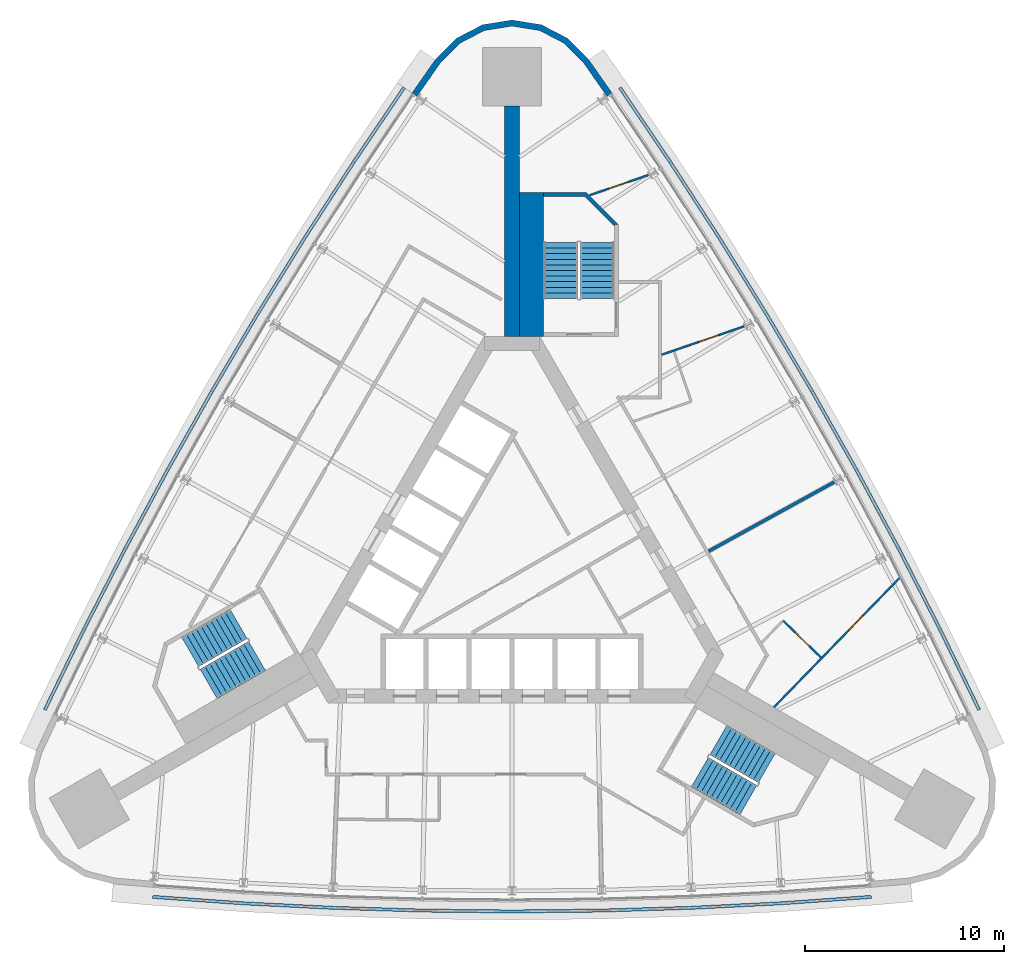
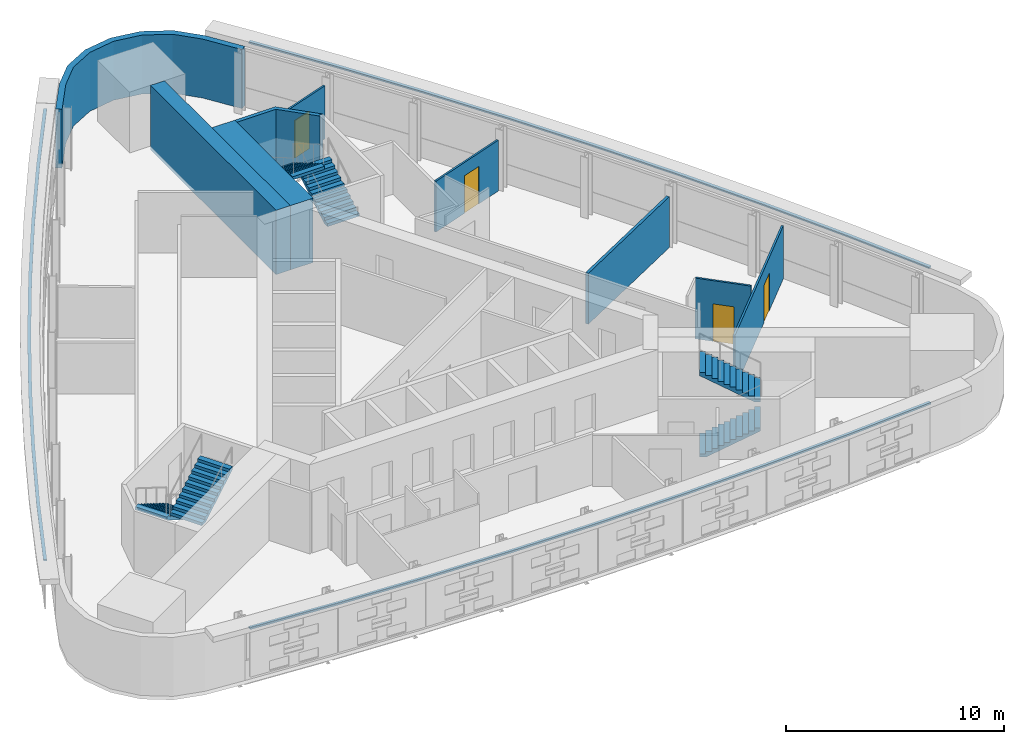
# One storey, part 9 of 11: 9 walls, 6 stair flights, 4 doors, 3 discrete accessories, 4 openings, 3 elements without a shape of their own.
"""IFC4 building model written with IfcOpenShell, lengths in metres."""

from ifc_helpers import new_model, si_unit, direction, frame, frame_2d, origin, place, context, subcontext, project, spatial, polyline, rectangle, outline, extrude, material, layer, layer_set, type_object, element, fill, aggregate, save


model = new_model("IFC4")

# Units and contexts
model_context = context("Model", 3, precision=1e-05, world=origin(), true_north=direction((0.0, 1.0)))
body_context = subcontext(model_context, "Body", "Model", "MODEL_VIEW")
ifc_project = project(units=[si_unit("LENGTHUNIT", "METRE"), si_unit("AREAUNIT", "SQUARE_METRE"), si_unit("VOLUMEUNIT", "CUBIC_METRE"), si_unit("PLANEANGLEUNIT", "RADIAN"), si_unit("MASSUNIT", "GRAM", prefix="KILO")], contexts=[model_context])

# Site, building, storey
site_placement = place(None, origin())
site = spatial("IfcSite", under=ifc_project, at=site_placement, CompositionType="ELEMENT")
building_placement = place(site_placement, origin())
building = spatial("IfcBuilding", under=site, at=building_placement, Name="Noor Cloister Tower", CompositionType="ELEMENT")
storey_placement = place(building_placement, frame((0.0, 0.0, 120.300048828125)))
storey = spatial("IfcBuildingStorey", under=building, at=storey_placement, Name="L31", CompositionType="ELEMENT", Elevation=120.300048828125)

# Walls
ifc_material_1 = material(Name="Concrete C80/95", Category="concrete")
ifc_layer_1 = layer(ifc_material_1, 0.75)
ifc_layer_set_1 = layer_set([ifc_layer_1], Name="Buttress wall 750 C80/95")
wall_type_1 = type_object("IfcWallType", Name="Buttress wall 750 C80/95", PredefinedType="SHEAR", material=ifc_layer_set_1)
wall_1_placement = place(storey_placement, frame((0.0, 11.456298828125, -0.199951171875), z_axis=(0.0, 0.0, 1.0), x_axis=(0.0, 1.0, 0.0)))
element("IfcWall", 1, at=wall_1_placement, inside=storey, type_object=wall_type_1, Name="Buttress wall N L31", PredefinedType="SHEAR", context=body_context, shape_type="SweptSolid", body=[
    extrude(rectangle(XDim=11.538818359375, YDim=0.75, at=frame_2d((5.76953125, 0.0))), origin(), (0.0, 0.0, 1.0), 3.599853515625),
])
ifc_material_2 = material(Name="Gypsum board partition on steel studs, 150 mm", Category="steel")
ifc_layer_2 = layer(ifc_material_2, 0.14990234375)
ifc_layer_set_2 = layer_set([ifc_layer_2], Name="Flat wall 150")
wall_type_2 = type_object("IfcWallType", Name="Flat wall 150", PredefinedType="PARTITIONING", material=ifc_layer_set_2)
wall_2_placement = place(storey_placement, frame((16.14453125, 4.14404296875, 0.0), z_axis=(0.0, 0.0, 1.0), x_axis=(-0.875990246448, -0.482328817434, 0.0)))
element("IfcWall", 2, at=wall_2_placement, inside=storey, type_object=wall_type_2, Name="Flat wall 150 L31 016", PredefinedType="PARTITIONING", context=body_context, shape_type="SweptSolid", body=[
    extrude(rectangle(XDim=7.175537109375, YDim=0.14990234375, at=frame_2d((3.587890625, 0.0))), origin(), (0.0, 0.0, 1.0), 2.846923828125),
])
ifc_material_3 = material(Name="Limestone", Category="masonry")
ifc_layer_3 = layer(ifc_material_3, 0.300048828125)
ifc_layer_set_3 = layer_set([ifc_layer_3], Name="Limestone cladding 300")
wall_type_3 = type_object("IfcWallType", Name="Limestone cladding 300", PredefinedType="NOTDEFINED", material=ifc_layer_set_3)
wall_3_placement = place(storey_placement, origin())
element("IfcWall", 3, at=wall_3_placement, inside=storey, type_object=wall_type_3, Name="Limestone pier cladding L31 3.1", PredefinedType="NOTDEFINED", context=body_context, shape_type="SweptSolid", body=[
    extrude(outline(polyline([(5.0126953125, 23.65576171875), (3.853271484375, 25.31689453125), (2.807373046875, 26.38818359375), (1.478271484375, 27.07763671875), (0.0, 27.3154296875), (-1.478271484375, 27.07763671875), (-2.807373046875, 26.38818359375), (-3.853271484375, 25.31689453125), (-5.0126953125, 23.65576171875), (-4.7666015625, 23.484130859375), (-3.621337890625, 25.125), (-2.62646484375, 26.14404296875), (-1.3828125, 26.7890625), (0.0, 27.011474609375), (1.3828125, 26.7890625), (2.62646484375, 26.14404296875), (3.621337890625, 25.125), (4.7666015625, 23.484130859375), (5.0126953125, 23.65576171875)])), origin(), (0.0, 0.0, 1.0), 3.300048828125),
])

# Wall, opening, door
ifc_material_4 = material(Name="Gypsum board partition on steel studs, 100 mm", Category="steel")
ifc_layer_4 = layer(ifc_material_4, 0.10009765625)
ifc_layer_set_4 = layer_set([ifc_layer_4], Name="Partition 100")
wall_type_4 = type_object("IfcWallType", Name="Partition 100", PredefinedType="PARTITIONING", material=ifc_layer_set_4)
wall_4_placement = place(storey_placement, frame((19.424560546875, -0.662353515625, 0.0), z_axis=(0.0, 0.0, 1.0), x_axis=(-0.696698602336, -0.717363964458, 0.0)))
wall_4 = element("IfcWall", 4, at=wall_4_placement, inside=storey, type_object=wall_type_4, Name="Partition 100 L31 021", PredefinedType="PARTITIONING", context=body_context, shape_type="SweptSolid", body=[
    extrude(rectangle(XDim=9.02587890625, YDim=0.10009765625, at=frame_2d((4.512939453125, 0.0))), origin(), (0.0, 0.0, 1.0), 2.973876953125),
])
opening_1_placement = place(wall_4_placement, frame((2.642578125, 0.0, 0.0)))
opening_1 = element("IfcOpeningElement", 5, at=opening_1_placement, cuts=wall_4, Name="Opening L31-012", PredefinedType="OPENING", context=body_context, shape_type="SweptSolid", body=[
    extrude(rectangle(XDim=1.0, YDim=2.10009765625, at=frame_2d((0.5, 1.050048828125))), frame((0.0, 0.06005859375, 0.0), z_axis=(0.0, -1.0, 0.0), x_axis=(1.0, 0.0, 0.0)), (0.0, 0.0, 1.0), 0.1201171875),
])
ifc_material_5 = material(Name="Timber door leaf with steel frame", Category="steel")
door_type = type_object("IfcDoorType", Name="Interior door 1000", OperationType="NOTDEFINED", PredefinedType="DOOR", material=ifc_material_5)
door_1_placement = place(opening_1_placement, origin())
door_1 = element("IfcDoor", 6, at=door_1_placement, inside=storey, type_object=door_type, Name="Interior door 1000 L31-012", OperationType="SINGLE_SWING_LEFT", OverallHeight=2.10009765625, OverallWidth=1.0, PredefinedType="DOOR", context=body_context, shape_type="SweptSolid", body=[
    extrude(rectangle(XDim=1.0, YDim=2.10009765625, at=frame_2d((0.5, 1.050048828125))), frame((0.0, 0.02490234375, 0.0), z_axis=(0.0, -1.0, 0.0), x_axis=(1.0, 0.0, 0.0)), (0.0, 0.0, 1.0), 0.050048828125),
])
fill(opening_1, door_1)

wall_5_placement = place(storey_placement, frame((7.501953125, 10.53369140625, 0.0), z_axis=(0.0, 0.0, 1.0), x_axis=(0.945553375074, 0.325467071893, 0.0)))
wall_5 = element("IfcWall", 7, at=wall_5_placement, inside=storey, type_object=wall_type_4, Name="Partition 100 L31 023", PredefinedType="PARTITIONING", context=body_context, shape_type="SweptSolid", body=[
    extrude(rectangle(XDim=4.36865234375, YDim=0.10009765625, at=frame_2d((2.184326171875, 0.0))), origin(), (0.0, 0.0, 1.0), 2.846923828125),
])
opening_2_placement = place(wall_5_placement, frame((1.998291015625, 0.0, 0.0)))
opening_2 = element("IfcOpeningElement", 8, at=opening_2_placement, cuts=wall_5, Name="Opening L31-013", PredefinedType="OPENING", context=body_context, shape_type="SweptSolid", body=[
    extrude(rectangle(XDim=1.0, YDim=2.10009765625, at=frame_2d((0.5, 1.050048828125))), frame((0.0, 0.06005859375, 0.0), z_axis=(0.0, -1.0, 0.0), x_axis=(1.0, 0.0, 0.0)), (0.0, 0.0, 1.0), 0.1201171875),
])
door_2_placement = place(opening_2_placement, origin())
door_2 = element("IfcDoor", 9, at=door_2_placement, inside=storey, type_object=door_type, Name="Interior door 1000 L31-013", OperationType="SINGLE_SWING_RIGHT", OverallHeight=2.10009765625, OverallWidth=1.0, PredefinedType="DOOR", context=body_context, shape_type="SweptSolid", body=[
    extrude(rectangle(XDim=1.0, YDim=2.10009765625, at=frame_2d((0.5, 1.050048828125))), frame((0.0, 0.02490234375, 0.0), z_axis=(0.0, -1.0, 0.0), x_axis=(1.0, 0.0, 0.0)), (0.0, 0.0, 1.0), 0.050048828125),
])
fill(opening_2, door_2)

wall_6_placement = place(storey_placement, frame((3.893310546875, 18.529541015625, 0.0), z_axis=(0.0, 0.0, 1.0), x_axis=(0.945532429383, 0.325527917366, 0.0)))
wall_6 = element("IfcWall", 10, at=wall_6_placement, inside=storey, type_object=wall_type_4, Name="Partition 100 L31 024", PredefinedType="PARTITIONING", context=body_context, shape_type="SweptSolid", body=[
    extrude(rectangle(XDim=3.105712890625, YDim=0.10009765625, at=frame_2d((1.552734375, 0.0))), origin(), (0.0, 0.0, 1.0), 2.973876953125),
])
opening_3_placement = place(wall_6_placement, frame((1.04052734375, 0.0, 0.0)))
opening_3 = element("IfcOpeningElement", 11, at=opening_3_placement, cuts=wall_6, Name="Opening L31-014", PredefinedType="OPENING", context=body_context, shape_type="SweptSolid", body=[
    extrude(rectangle(XDim=1.0, YDim=2.10009765625, at=frame_2d((0.5, 1.050048828125))), frame((0.0, 0.06005859375, 0.0), z_axis=(0.0, -1.0, 0.0), x_axis=(1.0, 0.0, 0.0)), (0.0, 0.0, 1.0), 0.1201171875),
])
door_3_placement = place(opening_3_placement, origin())
door_3 = element("IfcDoor", 12, at=door_3_placement, inside=storey, type_object=door_type, Name="Interior door 1000 L31-014", OperationType="SINGLE_SWING_LEFT", OverallHeight=2.10009765625, OverallWidth=1.0, PredefinedType="DOOR", context=body_context, shape_type="SweptSolid", body=[
    extrude(rectangle(XDim=1.0, YDim=2.10009765625, at=frame_2d((0.5, 1.050048828125))), frame((0.0, 0.02490234375, 0.0), z_axis=(0.0, -1.0, 0.0), x_axis=(1.0, 0.0, 0.0)), (0.0, 0.0, 1.0), 0.050048828125),
])
fill(opening_3, door_3)

wall_7_placement = place(storey_placement, frame((15.489013671875, -4.642578125, 0.0), z_axis=(0.0, 0.0, 1.0), x_axis=(-0.717350421595, 0.696712546635, 0.0)))
wall_7 = element("IfcWall", 13, at=wall_7_placement, inside=storey, type_object=wall_type_4, Name="Partition 100 L31 027", PredefinedType="PARTITIONING", context=body_context, shape_type="SweptSolid", body=[
    extrude(rectangle(XDim=2.64990234375, YDim=0.10009765625, at=frame_2d((1.324951171875, 0.0))), origin(), (0.0, 0.0, 1.0), 3.39990234375),
])
opening_4_placement = place(wall_7_placement, frame((0.800048828125, 0.0, 0.0)))
opening_4 = element("IfcOpeningElement", 14, at=opening_4_placement, cuts=wall_7, Name="Opening L31-016", PredefinedType="OPENING", context=body_context, shape_type="SweptSolid", body=[
    extrude(rectangle(XDim=1.0, YDim=2.10009765625, at=frame_2d((0.5, 1.050048828125))), frame((0.0, 0.06005859375, 0.0), z_axis=(0.0, -1.0, 0.0), x_axis=(1.0, 0.0, 0.0)), (0.0, 0.0, 1.0), 0.1201171875),
])
door_4_placement = place(opening_4_placement, origin())
door_4 = element("IfcDoor", 15, at=door_4_placement, inside=storey, type_object=door_type, Name="Interior door 1000 L31-016", OperationType="SINGLE_SWING_LEFT", OverallHeight=2.10009765625, OverallWidth=1.0, PredefinedType="DOOR", context=body_context, shape_type="SweptSolid", body=[
    extrude(rectangle(XDim=1.0, YDim=2.10009765625, at=frame_2d((0.5, 1.050048828125))), frame((0.0, 0.02490234375, 0.0), z_axis=(0.0, -1.0, 0.0), x_axis=(1.0, 0.0, 0.0)), (0.0, 0.0, 1.0), 0.050048828125),
])
fill(opening_4, door_4)

# Walls
ifc_material_6 = material(Name="Concrete C80/95", Category="concrete")
ifc_layer_5 = layer(ifc_material_6, 1.2109375)
ifc_layer_set_5 = layer_set([ifc_layer_5], Name="Stair enclosure wall 1211 C80/95")
wall_type_5 = type_object("IfcWallType", Name="Stair enclosure wall 1211 C80/95", PredefinedType="SHEAR", material=ifc_layer_set_5)
wall_8_placement = place(storey_placement, frame((0.980224609375, 11.456298828125, -0.199951171875), z_axis=(0.0, 0.0, 1.0), x_axis=(0.0, 1.0, 0.0)))
element("IfcWall", 16, at=wall_8_placement, inside=storey, type_object=wall_type_5, Name="Stair enclosure wall ST1 L31 riser side", PredefinedType="SHEAR", context=body_context, shape_type="SweptSolid", body=[
    extrude(rectangle(XDim=7.2001953125, YDim=1.210693359375, at=frame_2d((3.60009765625, 0.0))), origin(), (0.0, 0.0, 1.0), 3.599853515625),
])
ifc_material_7 = material(Name="Concrete C80/95", Category="concrete")
wall_type_6 = type_object("IfcWallType", Name="Stair far end wall C80/95", PredefinedType="SHEAR", material=ifc_material_7)
wall_9_placement = place(storey_placement, frame((0.0, 0.0, -0.199951171875)))
element("IfcWall", 17, at=wall_9_placement, inside=storey, type_object=wall_type_6, Name="Stair enclosure wall ST1 L31 far end", PredefinedType="SHEAR", context=body_context, shape_type="SweptSolid", body=[
    extrude(outline(polyline([(5.335693359375, 17.056396484375), (3.735595703125, 18.656494140625), (1.585693359375, 18.656494140625), (1.585693359375, 18.456298828125), (3.65283203125, 18.456298828125), (5.135498046875, 16.9736328125), (5.135498046875, 17.056396484375), (5.135498046875, 17.056396484375), (5.135498046875, 17.056396484375), (5.135498046875, 17.056396484375), (5.135498046875, 17.056396484375), (5.135498046875, 17.056396484375), (5.135498046875, 17.056396484375), (5.135498046875, 17.056396484375), (5.135498046875, 17.056396484375), (5.135498046875, 17.056396484375), (5.135498046875, 17.056396484375), (5.135498046875, 17.056396484375), (5.135498046875, 17.056396484375), (5.135498046875, 17.056396484375), (5.135498046875, 17.056396484375), (5.135498046875, 17.056396484375), (5.135498046875, 17.056396484375), (5.335693359375, 17.056396484375)])), origin(), (0.0, 0.0, 1.0), 3.599853515625),
])

# Stair, stair flights
ifc_material_8 = material(Name="Concrete C40/50", Category="concrete")
stair_type = type_object("IfcStairType", Name="Exit stair 22 risers", PredefinedType="HALF_TURN_STAIR", material=ifc_material_8)
stair_1_placement = place(storey_placement, origin())
stair_1 = element("IfcStair", 18, at=stair_1_placement, inside=storey, type_object=stair_type, Name="Exit stair ST1 L31", PredefinedType="HALF_TURN_STAIR")
ifc_material_9 = material(Name="Concrete C40/50", Category="concrete")
stair_flight_type = type_object("IfcStairFlightType", Name="Exit stair flight", PredefinedType="STRAIGHT", material=ifc_material_9)
stair_flight_1_placement = place(storey_placement, frame((4.28564453125, 13.3564453125, 0.0), z_axis=(0.0, 0.0, 1.0), x_axis=(0.0, 1.0, 0.0)))
stair_flight_1 = element("IfcStairFlight", 19, at=stair_flight_1_placement, type_object=stair_flight_type, Name="ST1 flight 1", NumberOfRisers=11, NumberOfTreads=10, PredefinedType="STRAIGHT", RiserHeight=0.163636364, TreadLength=0.28, context=body_context, shape_type="SweptSolid", body=[
    extrude(outline(polyline([(0.0, 0.0), (0.0, 0.16357421875), (0.280029296875, 0.16357421875), (0.280029296875, 0.327392578125), (0.56005859375, 0.327392578125), (0.56005859375, 0.490966796875), (0.840087890625, 0.490966796875), (0.840087890625, 0.654541015625), (1.1201171875, 0.654541015625), (1.1201171875, 0.818115234375), (1.39990234375, 0.818115234375), (1.39990234375, 0.98193359375), (1.679931640625, 0.98193359375), (1.679931640625, 1.1455078125), (1.9599609375, 1.1455078125), (1.9599609375, 1.30908203125), (2.239990234375, 1.30908203125), (2.239990234375, 1.47265625), (2.52001953125, 1.47265625), (2.52001953125, 1.636474609375), (2.800048828125, 1.636474609375), (2.800048828125, 1.800048828125), (2.800048828125, 1.462646484375), (0.297119140625, 0.0), (0.0, 0.0)])), frame((0.0, 0.85009765625, 0.0), z_axis=(0.0, -1.0, 0.0), x_axis=(1.0, 0.0, 0.0)), (0.0, 0.0, 1.0), 1.699951171875),
])
stair_flight_2_placement = place(storey_placement, frame((2.435546875, 16.156494140625, 1.800048828125), z_axis=(0.0, 0.0, 1.0), x_axis=(0.0, -1.0, 0.0)))
stair_flight_2 = element("IfcStairFlight", 20, at=stair_flight_2_placement, type_object=stair_flight_type, Name="ST1 flight 2", NumberOfRisers=11, NumberOfTreads=10, PredefinedType="STRAIGHT", RiserHeight=0.163636364, TreadLength=0.28, context=body_context, shape_type="SweptSolid", body=[
    extrude(outline(polyline([(0.0, 0.0), (0.0, 0.16357421875), (0.280029296875, 0.16357421875), (0.280029296875, 0.327392578125), (0.56005859375, 0.327392578125), (0.56005859375, 0.490966796875), (0.840087890625, 0.490966796875), (0.840087890625, 0.654541015625), (1.1201171875, 0.654541015625), (1.1201171875, 0.818115234375), (1.39990234375, 0.818115234375), (1.39990234375, 0.98193359375), (1.679931640625, 0.98193359375), (1.679931640625, 1.1455078125), (1.9599609375, 1.1455078125), (1.9599609375, 1.30908203125), (2.239990234375, 1.30908203125), (2.239990234375, 1.47265625), (2.52001953125, 1.47265625), (2.52001953125, 1.636474609375), (2.800048828125, 1.636474609375), (2.800048828125, 1.800048828125), (2.800048828125, 1.462646484375), (0.297119140625, 0.0), (0.0, 0.0)])), frame((0.0, 0.85009765625, 0.0), z_axis=(0.0, -1.0, 0.0), x_axis=(1.0, 0.0, 0.0)), (0.0, 0.0, 1.0), 1.699951171875),
])
aggregate(stair_1, [stair_flight_1, stair_flight_2])

stair_2_placement = place(storey_placement, origin())
stair_2 = element("IfcStair", 21, at=stair_2_placement, inside=storey, type_object=stair_type, Name="Exit stair ST2 L31", PredefinedType="HALF_TURN_STAIR")
stair_flight_3_placement = place(storey_placement, frame((-13.709716796875, -2.966796875, 0.0), z_axis=(0.0, 0.0, 1.0), x_axis=(-0.866025403784, -0.5, 0.0)))
stair_flight_3 = element("IfcStairFlight", 22, at=stair_flight_3_placement, type_object=stair_flight_type, Name="ST2 flight 1", NumberOfRisers=11, NumberOfTreads=10, PredefinedType="STRAIGHT", RiserHeight=0.163636364, TreadLength=0.28, context=body_context, shape_type="SweptSolid", body=[
    extrude(outline(polyline([(0.0, 0.0), (0.0, 0.16357421875), (0.280029296875, 0.16357421875), (0.280029296875, 0.327392578125), (0.56005859375, 0.327392578125), (0.56005859375, 0.490966796875), (0.840087890625, 0.490966796875), (0.840087890625, 0.654541015625), (1.1201171875, 0.654541015625), (1.1201171875, 0.818115234375), (1.39990234375, 0.818115234375), (1.39990234375, 0.98193359375), (1.679931640625, 0.98193359375), (1.679931640625, 1.1455078125), (1.9599609375, 1.1455078125), (1.9599609375, 1.30908203125), (2.239990234375, 1.30908203125), (2.239990234375, 1.47265625), (2.52001953125, 1.47265625), (2.52001953125, 1.636474609375), (2.800048828125, 1.636474609375), (2.800048828125, 1.800048828125), (2.800048828125, 1.462646484375), (0.297119140625, 0.0), (0.0, 0.0)])), frame((0.0, 0.85009765625, 0.0), z_axis=(0.0, -1.0, 0.0), x_axis=(1.0, 0.0, 0.0)), (0.0, 0.0, 1.0), 1.699951171875),
])
stair_flight_4_placement = place(storey_placement, frame((-15.209716796875, -5.968994140625, 1.800048828125), z_axis=(0.0, 0.0, 1.0), x_axis=(0.866025403784, 0.5, 0.0)))
stair_flight_4 = element("IfcStairFlight", 23, at=stair_flight_4_placement, type_object=stair_flight_type, Name="ST2 flight 2", NumberOfRisers=11, NumberOfTreads=10, PredefinedType="STRAIGHT", RiserHeight=0.163636364, TreadLength=0.28, context=body_context, shape_type="SweptSolid", body=[
    extrude(outline(polyline([(0.0, 0.0), (0.0, 0.16357421875), (0.280029296875, 0.16357421875), (0.280029296875, 0.327392578125), (0.56005859375, 0.327392578125), (0.56005859375, 0.490966796875), (0.840087890625, 0.490966796875), (0.840087890625, 0.654541015625), (1.1201171875, 0.654541015625), (1.1201171875, 0.818115234375), (1.39990234375, 0.818115234375), (1.39990234375, 0.98193359375), (1.679931640625, 0.98193359375), (1.679931640625, 1.1455078125), (1.9599609375, 1.1455078125), (1.9599609375, 1.30908203125), (2.239990234375, 1.30908203125), (2.239990234375, 1.47265625), (2.52001953125, 1.47265625), (2.52001953125, 1.636474609375), (2.800048828125, 1.636474609375), (2.800048828125, 1.800048828125), (2.800048828125, 1.462646484375), (0.297119140625, 0.0), (0.0, 0.0)])), frame((0.0, 0.85009765625, 0.0), z_axis=(0.0, -1.0, 0.0), x_axis=(1.0, 0.0, 0.0)), (0.0, 0.0, 1.0), 1.699951171875),
])
aggregate(stair_2, [stair_flight_3, stair_flight_4])

stair_3_placement = place(storey_placement, origin())
stair_3 = element("IfcStair", 24, at=stair_3_placement, inside=storey, type_object=stair_type, Name="Exit stair ST3 L31", PredefinedType="HALF_TURN_STAIR")
stair_flight_5_placement = place(storey_placement, frame((9.424072265625, -10.3896484375, 0.0), z_axis=(0.0, 0.0, 1.0), x_axis=(0.866025403784, -0.5, 0.0)))
stair_flight_5 = element("IfcStairFlight", 25, at=stair_flight_5_placement, type_object=stair_flight_type, Name="ST3 flight 1", NumberOfRisers=11, NumberOfTreads=10, PredefinedType="STRAIGHT", RiserHeight=0.163636364, TreadLength=0.28, context=body_context, shape_type="SweptSolid", body=[
    extrude(outline(polyline([(0.0, 0.0), (0.0, 0.16357421875), (0.280029296875, 0.16357421875), (0.280029296875, 0.327392578125), (0.56005859375, 0.327392578125), (0.56005859375, 0.490966796875), (0.840087890625, 0.490966796875), (0.840087890625, 0.654541015625), (1.1201171875, 0.654541015625), (1.1201171875, 0.818115234375), (1.39990234375, 0.818115234375), (1.39990234375, 0.98193359375), (1.679931640625, 0.98193359375), (1.679931640625, 1.1455078125), (1.9599609375, 1.1455078125), (1.9599609375, 1.30908203125), (2.239990234375, 1.30908203125), (2.239990234375, 1.47265625), (2.52001953125, 1.47265625), (2.52001953125, 1.636474609375), (2.800048828125, 1.636474609375), (2.800048828125, 1.800048828125), (2.800048828125, 1.462646484375), (0.297119140625, 0.0), (0.0, 0.0)])), frame((0.0, 0.85009765625, 0.0), z_axis=(0.0, -1.0, 0.0), x_axis=(1.0, 0.0, 0.0)), (0.0, 0.0, 1.0), 1.699951171875),
])
stair_flight_6_placement = place(storey_placement, frame((12.77392578125, -10.1875, 1.800048828125), z_axis=(0.0, 0.0, 1.0), x_axis=(-0.866025403784, 0.5, 0.0)))
stair_flight_6 = element("IfcStairFlight", 26, at=stair_flight_6_placement, type_object=stair_flight_type, Name="ST3 flight 2", NumberOfRisers=11, NumberOfTreads=10, PredefinedType="STRAIGHT", RiserHeight=0.163636364, TreadLength=0.28, context=body_context, shape_type="SweptSolid", body=[
    extrude(outline(polyline([(0.0, 0.0), (0.0, 0.16357421875), (0.280029296875, 0.16357421875), (0.280029296875, 0.327392578125), (0.56005859375, 0.327392578125), (0.56005859375, 0.490966796875), (0.840087890625, 0.490966796875), (0.840087890625, 0.654541015625), (1.1201171875, 0.654541015625), (1.1201171875, 0.818115234375), (1.39990234375, 0.818115234375), (1.39990234375, 0.98193359375), (1.679931640625, 0.98193359375), (1.679931640625, 1.1455078125), (1.9599609375, 1.1455078125), (1.9599609375, 1.30908203125), (2.239990234375, 1.30908203125), (2.239990234375, 1.47265625), (2.52001953125, 1.47265625), (2.52001953125, 1.636474609375), (2.800048828125, 1.636474609375), (2.800048828125, 1.800048828125), (2.800048828125, 1.462646484375), (0.297119140625, 0.0), (0.0, 0.0)])), frame((0.0, 0.85009765625, 0.0), z_axis=(0.0, -1.0, 0.0), x_axis=(1.0, 0.0, 0.0)), (0.0, 0.0, 1.0), 1.699951171875),
])
aggregate(stair_3, [stair_flight_5, stair_flight_6])

# Discrete accessories
ifc_material_10 = material(Name="Stainless steel grade 316", Category="steel")
discrete_accessory_type = type_object("IfcDiscreteAccessoryType", Name="Stainless hanger rail", PredefinedType="BRACKET", material=ifc_material_10)
discrete_accessory_1_placement = place(storey_placement, frame((0.0, 0.0, 3.199951171875)))
element("IfcDiscreteAccessory", 27, at=discrete_accessory_1_placement, inside=storey, type_object=discrete_accessory_type, Name="Hanger rail L31", PredefinedType="BRACKET", context=body_context, shape_type="SweptSolid", body=[
    extrude(outline(polyline([(-5.4765625, 23.969482421875), (-8.00048828125, 20.2373046875), (-10.451416015625, 16.44970703125), (-12.824951171875, 12.61328125), (-15.1201171875, 8.7294921875), (-17.3359375, 4.800048828125), (-19.4716796875, 0.826171875), (-21.5263671875, -3.18994140625), (-23.496337890625, -7.241943359375), (-23.3525390625, -7.31201171875), (-21.383056640625, -3.261474609375), (-19.330078125, 0.751953125), (-17.19580078125, 4.722900390625), (-14.9814453125, 8.649658203125), (-12.68798828125, 12.530517578125), (-10.316162109375, 16.3642578125), (-7.8671875, 20.14892578125), (-5.343994140625, 23.8798828125), (-5.4765625, 23.969482421875)])), origin(), (0.0, 0.0, 1.0), 0.10009765625),
])
discrete_accessory_2_placement = place(storey_placement, frame((0.0, 0.0, 3.199951171875)))
element("IfcDiscreteAccessory", 28, at=discrete_accessory_2_placement, inside=storey, type_object=discrete_accessory_type, Name="Hanger rail L31", PredefinedType="BRACKET", context=body_context, shape_type="SweptSolid", body=[
    extrude(outline(polyline([(-18.02001953125, -16.7275390625), (-13.525634765625, -17.04736328125), (-9.020263671875, -17.276123046875), (-4.510986328125, -17.413330078125), (0.0, -17.459228515625), (4.510986328125, -17.413330078125), (9.020263671875, -17.276123046875), (13.525634765625, -17.04736328125), (18.02001953125, -16.7275390625), (18.008544921875, -16.56787109375), (13.51611328125, -16.8876953125), (9.013671875, -17.1162109375), (4.5078125, -17.25341796875), (0.0, -17.299072265625), (-4.5078125, -17.25341796875), (-9.013671875, -17.1162109375), (-13.51611328125, -16.8876953125), (-18.008544921875, -16.56787109375), (-18.02001953125, -16.7275390625)])), origin(), (0.0, 0.0, 1.0), 0.10009765625),
])
discrete_accessory_3_placement = place(storey_placement, frame((0.0, 0.0, 3.199951171875)))
element("IfcDiscreteAccessory", 29, at=discrete_accessory_3_placement, inside=storey, type_object=discrete_accessory_type, Name="Hanger rail L31", PredefinedType="BRACKET", context=body_context, shape_type="SweptSolid", body=[
    extrude(outline(polyline([(23.496337890625, -7.241943359375), (21.5263671875, -3.18994140625), (19.4716796875, 0.826171875), (17.3359375, 4.800048828125), (15.1201171875, 8.7294921875), (12.824951171875, 12.61328125), (10.451416015625, 16.44970703125), (8.00048828125, 20.2373046875), (5.4765625, 23.969482421875), (5.343994140625, 23.8798828125), (7.8671875, 20.14892578125), (10.316162109375, 16.3642578125), (12.68798828125, 12.530517578125), (14.9814453125, 8.649658203125), (17.19580078125, 4.722900390625), (19.330078125, 0.751953125), (21.383056640625, -3.261474609375), (23.3525390625, -7.31201171875), (23.496337890625, -7.241943359375)])), origin(), (0.0, 0.0, 1.0), 0.10009765625),
])

save(model, "model.ifc")
